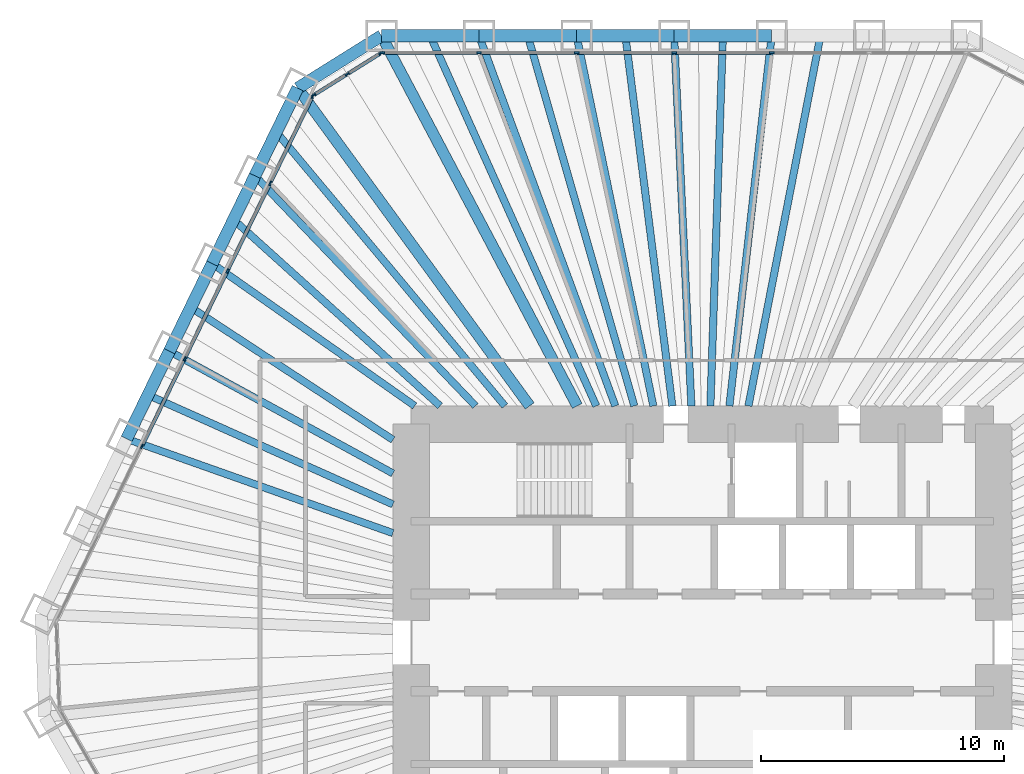
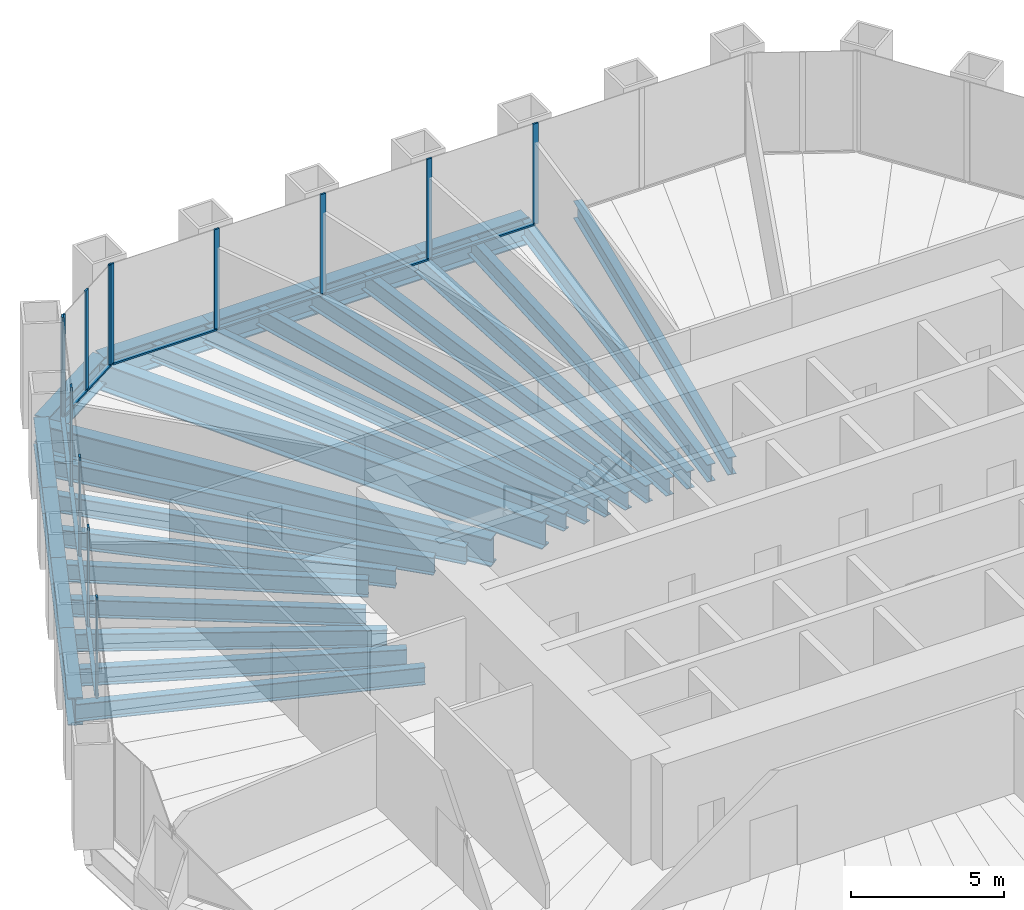
# One storey, part 6 of 13: 28 beams, 23 members, 3 elements without a shape of their own.
"""IFC4 building model written with IfcOpenShell, lengths in metres."""

from ifc_helpers import new_model, si_unit, direction, frame, origin, origin_2d, place, context, subcontext, project, spatial, rectangle, i_section, extrude, material, material_profile, profile_set, type_object, element, aggregate, save


model = new_model("IFC4")

# Units and contexts
model_context = context("Model", 3, precision=1e-05, world=origin(), true_north=direction((0.0, 1.0)))
body_context = subcontext(model_context, "Body", "Model", "MODEL_VIEW")
ifc_project = project(units=[si_unit("LENGTHUNIT", "METRE"), si_unit("AREAUNIT", "SQUARE_METRE"), si_unit("VOLUMEUNIT", "CUBIC_METRE"), si_unit("PLANEANGLEUNIT", "RADIAN"), si_unit("MASSUNIT", "GRAM", prefix="KILO")], contexts=[model_context])

# Site, building, storey
site_placement = place(None, origin())
site = spatial("IfcSite", under=ifc_project, at=site_placement, CompositionType="ELEMENT")
building_placement = place(site_placement, origin())
building = spatial("IfcBuilding", under=site, at=building_placement, Name="Qingtian Harvest Tower", CompositionType="ELEMENT")
storey_placement = place(building_placement, frame((0.0, 0.0, 145.0)))
storey = spatial("IfcBuildingStorey", under=building, at=storey_placement, Name="L30", CompositionType="ELEMENT", Elevation=145.0)

# Beams
ifc_material_1 = material(Name="Steel SM570MC", Category="steel")
ifc_material_profile_1 = material_profile(ifc_material_1, i_section(OverallWidth=0.449951171875, OverallDepth=1.10009765625, WebThickness=0.02197265625, FlangeThickness=0.044921875, at=origin_2d()), Name="H1100x450x22x45")
ifc_profile_set_1 = profile_set([ifc_material_profile_1], Name="Steel SM570MC")
beam_type_1 = type_object("IfcBeamType", Name="Corner floor beam FB8 H1100x450x22x45", PredefinedType="BEAM", material=ifc_profile_set_1)
beam_1_placement = place(storey_placement, frame((-13.2216796875, 25.0, -0.719970703125), z_axis=(0.46750989692, -0.88398783718, 0.0), x_axis=(0.88398783718, 0.46750989692, 0.0)))
element("IfcBeam", 1, at=beam_1_placement, inside=storey, type_object=beam_type_1, Name="Floor beam FB8 N0", PredefinedType="BEAM", context=body_context, shape_type="SweptSolid", body=[
    extrude(i_section(OverallWidth=0.449951171875, OverallDepth=1.10009765625, WebThickness=0.02197265625, FlangeThickness=0.044921875, at=origin_2d()), origin(), (0.0, 0.0, 1.0), 17.25146484375),
])
beam_2_placement = place(storey_placement, frame((-16.673828125, 22.8427734375, -0.719970703125), z_axis=(0.589577703364, -0.807711663712, 0.0), x_axis=(0.807711663712, 0.589577703364, 0.0)))
element("IfcBeam", 2, at=beam_2_placement, inside=storey, type_object=beam_type_1, Name="Floor beam FB8 NW6", PredefinedType="BEAM", context=body_context, shape_type="SweptSolid", body=[
    extrude(i_section(OverallWidth=0.449951171875, OverallDepth=1.10009765625, WebThickness=0.02197265625, FlangeThickness=0.044921875, at=origin_2d()), origin(), (0.0, 0.0, 1.0), 16.209716796875),
])
ifc_material_2 = material(Name="Steel SN490B", Category="steel")
ifc_material_profile_2 = material_profile(ifc_material_2, i_section(OverallWidth=0.300048828125, OverallDepth=0.699951171875, WebThickness=0.012939453125, FlangeThickness=0.02392578125, at=origin_2d()), Name="H700x300x13x24")
ifc_profile_set_2 = profile_set([ifc_material_profile_2], Name="Steel SN490B")
beam_type_2 = type_object("IfcBeamType", Name="Floor beam FB2 H700x300x13x24", PredefinedType="BEAM", material=ifc_profile_set_2)
beam_3_placement = place(storey_placement, frame((-9.20263671875, 25.0, -0.52001953125), z_axis=(0.345440084985, -0.938440806703, 0.0), x_axis=(0.938440806703, 0.345440084985, 0.0)))
element("IfcBeam", 3, at=beam_3_placement, inside=storey, type_object=beam_type_2, Name="Floor beam FB2 N1", PredefinedType="BEAM", context=body_context, shape_type="SweptSolid", body=[
    extrude(i_section(OverallWidth=0.300048828125, OverallDepth=0.699951171875, WebThickness=0.012939453125, FlangeThickness=0.02392578125, at=origin_2d()), origin(), (0.0, 0.0, 1.0), 16.250244140625),
])
beam_4_placement = place(storey_placement, frame((-5.18359375, 25.0, -0.52001953125), z_axis=(0.203032709566, -0.979171955709, 0.0), x_axis=(0.979171955709, 0.203032709566, 0.0)))
element("IfcBeam", 4, at=beam_4_placement, inside=storey, type_object=beam_type_2, Name="Floor beam FB2 N2", PredefinedType="BEAM", context=body_context, shape_type="SweptSolid", body=[
    extrude(i_section(OverallWidth=0.300048828125, OverallDepth=0.699951171875, WebThickness=0.012939453125, FlangeThickness=0.02392578125, at=origin_2d()), origin(), (0.0, 0.0, 1.0), 15.574462890625),
])
beam_5_placement = place(storey_placement, frame((-1.16455078125, 25.0, -0.52001953125), z_axis=(0.046536361684, -0.998916596639, 0.0), x_axis=(0.998916596639, 0.046536361684, 0.0)))
element("IfcBeam", 5, at=beam_5_placement, inside=storey, type_object=beam_type_2, Name="Floor beam FB2 N3", PredefinedType="BEAM", context=body_context, shape_type="SweptSolid", body=[
    extrude(i_section(OverallWidth=0.300048828125, OverallDepth=0.699951171875, WebThickness=0.012939453125, FlangeThickness=0.02392578125, at=origin_2d()), origin(), (0.0, 0.0, 1.0), 15.2666015625),
])
beam_6_placement = place(storey_placement, frame((2.8544921875, 25.0, -0.52001953125), z_axis=(-0.113440722222, -0.993544766249, 0.0), x_axis=(0.993544766249, -0.113440722222, 0.0)))
element("IfcBeam", 6, at=beam_6_placement, inside=storey, type_object=beam_type_2, Name="Floor beam FB2 N4", PredefinedType="BEAM", context=body_context, shape_type="SweptSolid", body=[
    extrude(i_section(OverallWidth=0.300048828125, OverallDepth=0.699951171875, WebThickness=0.012939453125, FlangeThickness=0.02392578125, at=origin_2d()), origin(), (0.0, 0.0, 1.0), 15.34912109375),
])
beam_7_placement = place(storey_placement, frame((-23.72119140625, 8.3935546875, -0.52001953125), z_axis=(0.942723186419, -0.333576068967, 0.0), x_axis=(0.333576068967, 0.942723186419, 0.0)))
element("IfcBeam", 7, at=beam_7_placement, inside=storey, type_object=beam_type_2, Name="Floor beam FB2 NW2", PredefinedType="BEAM", context=body_context, shape_type="SweptSolid", body=[
    extrude(i_section(OverallWidth=0.300048828125, OverallDepth=0.699951171875, WebThickness=0.012939453125, FlangeThickness=0.02392578125, at=origin_2d()), origin(), (0.0, 0.0, 1.0), 11.6376953125),
])
beam_8_placement = place(storey_placement, frame((-21.95947265625, 12.005859375, -0.52001953125), z_axis=(0.877432026785, -0.479700988505, 0.0), x_axis=(0.479700988505, 0.877432026785, 0.0)))
element("IfcBeam", 8, at=beam_8_placement, inside=storey, type_object=beam_type_2, Name="Floor beam FB2 NW3", PredefinedType="BEAM", context=body_context, shape_type="SweptSolid", body=[
    extrude(i_section(OverallWidth=0.300048828125, OverallDepth=0.699951171875, WebThickness=0.012939453125, FlangeThickness=0.02392578125, at=origin_2d()), origin(), (0.0, 0.0, 1.0), 10.495849609375),
])
beam_9_placement = place(storey_placement, frame((-20.197509765625, 15.6181640625, -0.52001953125), z_axis=(0.818080343043, -0.57510394915, 0.0), x_axis=(0.57510394915, 0.818080343043, 0.0)))
element("IfcBeam", 9, at=beam_9_placement, inside=storey, type_object=beam_type_2, Name="Floor beam FB2 NW4", PredefinedType="BEAM", context=body_context, shape_type="SweptSolid", body=[
    extrude(i_section(OverallWidth=0.300048828125, OverallDepth=0.699951171875, WebThickness=0.012939453125, FlangeThickness=0.02392578125, at=origin_2d()), origin(), (0.0, 0.0, 1.0), 10.20361328125),
])
beam_10_placement = place(storey_placement, frame((-18.435791015625, 19.23046875, -0.52001953125), z_axis=(0.69204101057, -0.721858185303, 0.0), x_axis=(0.721858185303, 0.69204101057, 0.0)))
element("IfcBeam", 10, at=beam_10_placement, inside=storey, type_object=beam_type_2, Name="Floor beam FB2 NW5", PredefinedType="BEAM", context=body_context, shape_type="SweptSolid", body=[
    extrude(i_section(OverallWidth=0.300048828125, OverallDepth=0.699951171875, WebThickness=0.012939453125, FlangeThickness=0.02392578125, at=origin_2d()), origin(), (0.0, 0.0, 1.0), 13.13330078125),
])
ifc_material_3 = material(Name="Steel SN490B", Category="steel")
ifc_material_profile_3 = material_profile(ifc_material_3, i_section(OverallWidth=0.300048828125, OverallDepth=0.699951171875, WebThickness=0.012939453125, FlangeThickness=0.02392578125, at=origin_2d()), Name="H700x300x13x24")
ifc_profile_set_3 = profile_set([ifc_material_profile_3], Name="Steel SN490B")
beam_type_3 = type_object("IfcBeamType", Name="Floor joist J2 H700x300x13x24", PredefinedType="JOIST", material=ifc_profile_set_3)
beam_11_placement = place(storey_placement, frame((-11.212158203125, 25.0, -0.52001953125), z_axis=(0.409212761683, -0.912438992852, 0.0), x_axis=(0.912438992852, 0.409212761683, 0.0)))
element("IfcBeam", 11, at=beam_11_placement, inside=storey, type_object=beam_type_3, Name="Floor joist J2 N0", PredefinedType="JOIST", context=body_context, shape_type="SweptSolid", body=[
    extrude(i_section(OverallWidth=0.300048828125, OverallDepth=0.699951171875, WebThickness=0.012939453125, FlangeThickness=0.02392578125, at=origin_2d()), origin(), (0.0, 0.0, 1.0), 16.71337890625),
])
beam_12_placement = place(storey_placement, frame((-7.193115234375, 25.0, -0.52001953125), z_axis=(0.276500682027, -0.961013721462, 0.0), x_axis=(0.961013721462, 0.276500682027, 0.0)))
element("IfcBeam", 12, at=beam_12_placement, inside=storey, type_object=beam_type_3, Name="Floor joist J2 N1", PredefinedType="JOIST", context=body_context, shape_type="SweptSolid", body=[
    extrude(i_section(OverallWidth=0.300048828125, OverallDepth=0.699951171875, WebThickness=0.012939453125, FlangeThickness=0.02392578125, at=origin_2d()), origin(), (0.0, 0.0, 1.0), 15.86865234375),
])
beam_13_placement = place(storey_placement, frame((-3.174072265625, 25.0, -0.52001953125), z_axis=(0.125957899702, -0.992035587821, 0.0), x_axis=(0.992035587821, 0.125957899702, 0.0)))
element("IfcBeam", 13, at=beam_13_placement, inside=storey, type_object=beam_type_3, Name="Floor joist J2 N2", PredefinedType="JOIST", context=body_context, shape_type="SweptSolid", body=[
    extrude(i_section(OverallWidth=0.300048828125, OverallDepth=0.699951171875, WebThickness=0.012939453125, FlangeThickness=0.02392578125, at=origin_2d()), origin(), (0.0, 0.0, 1.0), 15.372314453125),
])
beam_14_placement = place(storey_placement, frame((0.844970703125, 25.0, -0.52001953125), z_axis=(-0.033776183237, -0.999429421943, 0.0), x_axis=(0.999429421943, -0.033776183237, 0.0)))
element("IfcBeam", 14, at=beam_14_placement, inside=storey, type_object=beam_type_3, Name="Floor joist J2 N3", PredefinedType="JOIST", context=body_context, shape_type="SweptSolid", body=[
    extrude(i_section(OverallWidth=0.300048828125, OverallDepth=0.699951171875, WebThickness=0.012939453125, FlangeThickness=0.02392578125, at=origin_2d()), origin(), (0.0, 0.0, 1.0), 15.2587890625),
])
beam_15_placement = place(storey_placement, frame((4.864013671875, 25.0, -0.52001953125), z_axis=(-0.190979017217, -0.981594119269, 0.0), x_axis=(0.981594119269, -0.190979017217, 0.0)))
element("IfcBeam", 15, at=beam_15_placement, inside=storey, type_object=beam_type_3, Name="Floor joist J2 N4", PredefinedType="JOIST", context=body_context, shape_type="SweptSolid", body=[
    extrude(i_section(OverallWidth=0.300048828125, OverallDepth=0.699951171875, WebThickness=0.012939453125, FlangeThickness=0.02392578125, at=origin_2d()), origin(), (0.0, 0.0, 1.0), 15.535888671875),
])
beam_16_placement = place(storey_placement, frame((-22.84033203125, 10.19970703125, -0.52001953125), z_axis=(0.913095877166, -0.407744919162, 0.0), x_axis=(0.407744919162, 0.913095877166, 0.0)))
element("IfcBeam", 16, at=beam_16_placement, inside=storey, type_object=beam_type_3, Name="Floor joist J2 NW2", PredefinedType="JOIST", context=body_context, shape_type="SweptSolid", body=[
    extrude(i_section(OverallWidth=0.300048828125, OverallDepth=0.699951171875, WebThickness=0.012939453125, FlangeThickness=0.02392578125, at=origin_2d()), origin(), (0.0, 0.0, 1.0), 11.05078125),
])
beam_17_placement = place(storey_placement, frame((-21.078369140625, 13.81201171875, -0.52001953125), z_axis=(0.836426246046, -0.548079496903, 0.0), x_axis=(0.548079496903, 0.836426246046, 0.0)))
element("IfcBeam", 17, at=beam_17_placement, inside=storey, type_object=beam_type_3, Name="Floor joist J2 NW3", PredefinedType="JOIST", context=body_context, shape_type="SweptSolid", body=[
    extrude(i_section(OverallWidth=0.300048828125, OverallDepth=0.699951171875, WebThickness=0.012939453125, FlangeThickness=0.02392578125, at=origin_2d()), origin(), (0.0, 0.0, 1.0), 9.95703125),
])
beam_18_placement = place(storey_placement, frame((-19.316650390625, 17.42431640625, -0.52001953125), z_axis=(0.742543540775, -0.669797797886, 0.0), x_axis=(0.669797797886, 0.742543540775, 0.0)))
element("IfcBeam", 18, at=beam_18_placement, inside=storey, type_object=beam_type_3, Name="Floor joist J2 NW4", PredefinedType="JOIST", context=body_context, shape_type="SweptSolid", body=[
    extrude(i_section(OverallWidth=0.300048828125, OverallDepth=0.699951171875, WebThickness=0.012939453125, FlangeThickness=0.02392578125, at=origin_2d()), origin(), (0.0, 0.0, 1.0), 11.457763671875),
])
beam_19_placement = place(storey_placement, frame((-17.5546875, 21.03662109375, -0.52001953125), z_axis=(0.640703730007, -0.767788206704, 0.0), x_axis=(0.767788206704, 0.640703730007, 0.0)))
element("IfcBeam", 19, at=beam_19_placement, inside=storey, type_object=beam_type_3, Name="Floor joist J2 NW5", PredefinedType="JOIST", context=body_context, shape_type="SweptSolid", body=[
    extrude(i_section(OverallWidth=0.300048828125, OverallDepth=0.699951171875, WebThickness=0.012939453125, FlangeThickness=0.02392578125, at=origin_2d()), origin(), (0.0, 0.0, 1.0), 14.7001953125),
])

# Curtain wall, members
ifc_material_4 = material(Name="Bronze-anodised aluminium curtain wall", Category="aluminium")
curtain_wall_type = type_object("IfcCurtainWallType", Name="Curtain wall CW4 office", PredefinedType="USERDEFINED", material=ifc_material_4)
curtain_wall_1_placement = place(storey_placement, origin())
curtain_wall_1 = element("IfcCurtainWall", 20, at=curtain_wall_1_placement, inside=storey, type_object=curtain_wall_type, Name="Curtain wall CW4 L30 N0-5", ObjectType="RECESSED CURTAIN WALL", PredefinedType="USERDEFINED")
ifc_material_5 = material(Name="Bronze-anodised aluminium mullion", Category="aluminium")
ifc_material_profile_4 = material_profile(ifc_material_5, rectangle(XDim=0.06494140625, YDim=0.199951171875, at=origin_2d()), Name="AL 65x200")
ifc_profile_set_4 = profile_set([ifc_material_profile_4], Name="Bronze-anodised aluminium mullion")
member_type_1 = type_object("IfcMemberType", Name="Mullion CWM 65x200", PredefinedType="MULLION", material=ifc_profile_set_4)
member_1_placement = place(storey_placement, frame((-13.189208984375, 24.300048828125, 0.0), z_axis=(0.0, 0.0, 1.0), x_axis=(0.0, 1.0, 0.0)))
member_1 = element("IfcMember", 21, at=member_1_placement, type_object=member_type_1, Name="CW4 mullion 1", PredefinedType="MULLION", context=body_context, shape_type="SweptSolid", body=[
    extrude(rectangle(XDim=0.06494140625, YDim=0.199951171875, at=origin_2d()), origin(), (0.0, 0.0, 1.0), 4.030029296875),
])
member_2_placement = place(storey_placement, frame((-9.20263671875, 24.300048828125, 0.0), z_axis=(0.0, 0.0, 1.0), x_axis=(0.0, 1.0, 0.0)))
member_2 = element("IfcMember", 22, at=member_2_placement, type_object=member_type_1, Name="CW4 mullion 2", PredefinedType="MULLION", context=body_context, shape_type="SweptSolid", body=[
    extrude(rectangle(XDim=0.06494140625, YDim=0.199951171875, at=origin_2d()), origin(), (0.0, 0.0, 1.0), 4.030029296875),
])
member_3_placement = place(storey_placement, frame((-5.18359375, 24.300048828125, 0.0), z_axis=(0.0, 0.0, 1.0), x_axis=(0.0, 1.0, 0.0)))
member_3 = element("IfcMember", 23, at=member_3_placement, type_object=member_type_1, Name="CW4 mullion 3", PredefinedType="MULLION", context=body_context, shape_type="SweptSolid", body=[
    extrude(rectangle(XDim=0.06494140625, YDim=0.199951171875, at=origin_2d()), origin(), (0.0, 0.0, 1.0), 4.030029296875),
])
member_4_placement = place(storey_placement, frame((-1.16455078125, 24.300048828125, 0.0), z_axis=(0.0, 0.0, 1.0), x_axis=(0.0, 1.0, 0.0)))
member_4 = element("IfcMember", 24, at=member_4_placement, type_object=member_type_1, Name="CW4 mullion 4", PredefinedType="MULLION", context=body_context, shape_type="SweptSolid", body=[
    extrude(rectangle(XDim=0.06494140625, YDim=0.199951171875, at=origin_2d()), origin(), (0.0, 0.0, 1.0), 4.030029296875),
])
member_5_placement = place(storey_placement, frame((2.8544921875, 24.300048828125, 0.0), z_axis=(0.0, 0.0, 1.0), x_axis=(0.0, 1.0, 0.0)))
member_5 = element("IfcMember", 25, at=member_5_placement, type_object=member_type_1, Name="CW4 mullion 5", PredefinedType="MULLION", context=body_context, shape_type="SweptSolid", body=[
    extrude(rectangle(XDim=0.06494140625, YDim=0.199951171875, at=origin_2d()), origin(), (0.0, 0.0, 1.0), 4.030029296875),
])

curtain_wall_2_placement = place(storey_placement, origin())
curtain_wall_2 = element("IfcCurtainWall", 26, at=curtain_wall_2_placement, inside=storey, type_object=curtain_wall_type, Name="Curtain wall CW4 L30 NW0-5", ObjectType="RECESSED CURTAIN WALL", PredefinedType="USERDEFINED")
member_6_placement = place(storey_placement, frame((-23.092041015625, 8.086669921875, 0.0), z_axis=(0.0, 0.0, 1.0), x_axis=(-0.898794046299, 0.438371146789, 0.0)))
member_6 = element("IfcMember", 27, at=member_6_placement, type_object=member_type_1, Name="CW4 mullion 3", PredefinedType="MULLION", context=body_context, shape_type="SweptSolid", body=[
    extrude(rectangle(XDim=0.06494140625, YDim=0.199951171875, at=origin_2d()), origin(), (0.0, 0.0, 1.0), 4.030029296875),
])
member_7_placement = place(storey_placement, frame((-21.330322265625, 11.698974609375, 0.0), z_axis=(0.0, 0.0, 1.0), x_axis=(-0.898794046299, 0.438371146789, 0.0)))
member_7 = element("IfcMember", 28, at=member_7_placement, type_object=member_type_1, Name="CW4 mullion 4", PredefinedType="MULLION", context=body_context, shape_type="SweptSolid", body=[
    extrude(rectangle(XDim=0.06494140625, YDim=0.199951171875, at=origin_2d()), origin(), (0.0, 0.0, 1.0), 4.030029296875),
])
member_8_placement = place(storey_placement, frame((-19.568359375, 15.311279296875, 0.0), z_axis=(0.0, 0.0, 1.0), x_axis=(-0.898794046299, 0.438371146789, 0.0)))
member_8 = element("IfcMember", 29, at=member_8_placement, type_object=member_type_1, Name="CW4 mullion 5", PredefinedType="MULLION", context=body_context, shape_type="SweptSolid", body=[
    extrude(rectangle(XDim=0.06494140625, YDim=0.199951171875, at=origin_2d()), origin(), (0.0, 0.0, 1.0), 4.030029296875),
])
member_9_placement = place(storey_placement, frame((-17.806396484375, 18.923828125, 0.0), z_axis=(0.0, 0.0, 1.0), x_axis=(-0.898794046299, 0.438371146789, 0.0)))
member_9 = element("IfcMember", 30, at=member_9_placement, type_object=member_type_1, Name="CW4 mullion 6", PredefinedType="MULLION", context=body_context, shape_type="SweptSolid", body=[
    extrude(rectangle(XDim=0.06494140625, YDim=0.199951171875, at=origin_2d()), origin(), (0.0, 0.0, 1.0), 4.030029296875),
])
member_10_placement = place(storey_placement, frame((-16.058837890625, 22.5068359375, 0.0), z_axis=(0.0, 0.0, 1.0), x_axis=(-0.898794046299, 0.438371146789, 0.0)))
member_10 = element("IfcMember", 31, at=member_10_placement, type_object=member_type_1, Name="CW4 mullion 7", PredefinedType="MULLION", context=body_context, shape_type="SweptSolid", body=[
    extrude(rectangle(XDim=0.06494140625, YDim=0.199951171875, at=origin_2d()), origin(), (0.0, 0.0, 1.0), 4.030029296875),
])

curtain_wall_3_placement = place(storey_placement, origin())
curtain_wall_3 = element("IfcCurtainWall", 32, at=curtain_wall_3_placement, inside=storey, type_object=curtain_wall_type, Name="Curtain wall CW4 L30 NWC", ObjectType="RECESSED CURTAIN WALL", PredefinedType="USERDEFINED")
member_11_placement = place(storey_placement, frame((-16.01708984375, 22.55322265625, 0.0), z_axis=(0.0, 0.0, 1.0), x_axis=(-0.529919264233, 0.848048096156, 0.0)))
member_11 = element("IfcMember", 33, at=member_11_placement, type_object=member_type_1, Name="CW4 mullion 1", PredefinedType="MULLION", context=body_context, shape_type="SweptSolid", body=[
    extrude(rectangle(XDim=0.06494140625, YDim=0.199951171875, at=origin_2d()), origin(), (0.0, 0.0, 1.0), 4.030029296875),
])
member_12_placement = place(storey_placement, frame((-14.63330078125, 23.41796875, 0.0), z_axis=(0.0, 0.0, 1.0), x_axis=(-0.529919264233, 0.848048096156, 0.0)))
member_12 = element("IfcMember", 34, at=member_12_placement, type_object=member_type_1, Name="CW4 mullion 2", PredefinedType="MULLION", context=body_context, shape_type="SweptSolid", body=[
    extrude(rectangle(XDim=0.06494140625, YDim=0.199951171875, at=origin_2d()), origin(), (0.0, 0.0, 1.0), 4.030029296875),
])
member_13_placement = place(storey_placement, frame((-13.249267578125, 24.28271484375, 0.0), z_axis=(0.0, 0.0, 1.0), x_axis=(-0.529919264233, 0.848048096156, 0.0)))
member_13 = element("IfcMember", 35, at=member_13_placement, type_object=member_type_1, Name="CW4 mullion 3", PredefinedType="MULLION", context=body_context, shape_type="SweptSolid", body=[
    extrude(rectangle(XDim=0.06494140625, YDim=0.199951171875, at=origin_2d()), origin(), (0.0, 0.0, 1.0), 4.030029296875),
])

# Beams
ifc_material_6 = material(Name="Steel SM570MC", Category="steel")
ifc_material_profile_5 = material_profile(ifc_material_6, i_section(OverallWidth=0.5, OverallDepth=1.10009765625, WebThickness=0.02490234375, FlangeThickness=0.050048828125, at=origin_2d()), Name="H1100x500x25x50")
ifc_profile_set_5 = profile_set([ifc_material_profile_5], Name="Steel SM570MC")
beam_type_4 = type_object("IfcBeamType", Name="Spandrel beam SB2 H1100x500x25x50", PredefinedType="SPANDREL", material=ifc_profile_set_5)
for number, where, z_axis, x_axis, name in (
    (36, (-13.2216796875, 25.0, -0.550048828125), (1.0, 0.0, 0.0), (0.0, 1.0, 0.0), "Spandrel SB2 N0"),
    (37, (-9.20263671875, 25.0, -0.550048828125), (1.0, 0.0, 0.0), (0.0, 1.0, 0.0), "Spandrel SB2 N1"),
    (38, (-5.18359375, 25.0, -0.550048828125), (1.0, 0.0, 0.0), (0.0, 1.0, 0.0), "Spandrel SB2 N2"),
    (39, (-1.16455078125, 25.0, -0.550048828125), (1.0, 0.0, 0.0), (0.0, 1.0, 0.0), "Spandrel SB2 N3"),
    (40, (-23.72119140625, 8.3935546875, -0.550048828125), (0.438347033158, 0.898805806902, 0.0), (-0.898805806902, 0.438347033158, 0.0), "Spandrel SB2 NW2"),
    (41, (-21.95947265625, 12.005859375, -0.550048828125), (0.438396105405, 0.89878187274, 0.0), (-0.89878187274, 0.438396105405, 0.0), "Spandrel SB2 NW3"),
    (42, (-20.197509765625, 15.6181640625, -0.550048828125), (0.438347033158, 0.898805806902, 0.0), (-0.898805806902, 0.438347033158, 0.0), "Spandrel SB2 NW4"),
    (43, (-18.435791015625, 19.23046875, -0.550048828125), (0.438396105405, 0.89878187274, 0.0), (-0.89878187274, 0.438396105405, 0.0), "Spandrel SB2 NW5"),
):
    element("IfcBeam", number, at=place(storey_placement, frame(where, z_axis=z_axis, x_axis=x_axis)), inside=storey, type_object=beam_type_4, Name=name, PredefinedType="SPANDREL", context=body_context, shape_type="SweptSolid", body=[
        extrude(i_section(OverallWidth=0.5, OverallDepth=1.10009765625, WebThickness=0.02490234375, FlangeThickness=0.050048828125, at=origin_2d()), origin(), (0.0, 0.0, 1.0), 4.01904296875),
    ])
beam_20_placement = place(storey_placement, frame((-16.673828125, 22.8427734375, -0.550048828125), z_axis=(0.848038733752, 0.529934246919, 0.0), x_axis=(-0.529934246919, 0.848038733752, 0.0)))
element("IfcBeam", 44, at=beam_20_placement, inside=storey, type_object=beam_type_4, Name="Spandrel SB2 NWC", PredefinedType="SPANDREL", context=body_context, shape_type="SweptSolid", body=[
    extrude(i_section(OverallWidth=0.5, OverallDepth=1.10009765625, WebThickness=0.02490234375, FlangeThickness=0.050048828125, at=origin_2d()), origin(), (0.0, 0.0, 1.0), 4.07080078125),
])

# Member
ifc_material_7 = material(Name="Bronze-anodised aluminium transom", Category="aluminium")
ifc_material_profile_6 = material_profile(ifc_material_7, rectangle(XDim=0.14990234375, YDim=0.06494140625, at=origin_2d()), Name="AL 65x150")
ifc_profile_set_6 = profile_set([ifc_material_profile_6], Name="Bronze-anodised aluminium transom")
member_type_2 = type_object("IfcMemberType", Name="Transom CWT 65x150", PredefinedType="USERDEFINED", material=ifc_profile_set_6)
member_14_placement = place(storey_placement, frame((-13.15673828125, 24.300048828125, 0.032470703125), z_axis=(1.0, 0.0, 0.0), x_axis=(0.0, 1.0, 0.0)))
member_14 = element("IfcMember", 45, at=member_14_placement, type_object=member_type_2, Name="CW4 transom 1.1", ObjectType="TRANSOM", PredefinedType="USERDEFINED", context=body_context, shape_type="SweptSolid", body=[
    extrude(rectangle(XDim=0.14990234375, YDim=0.06494140625, at=origin_2d()), origin(), (0.0, 0.0, 1.0), 3.921630859375),
])

member_15_placement = place(storey_placement, frame((-9.170166015625, 24.300048828125, 0.032470703125), z_axis=(1.0, 0.0, 0.0), x_axis=(0.0, 1.0, 0.0)))
member_15 = element("IfcMember", 46, at=member_15_placement, type_object=member_type_2, Name="CW4 transom 2.1", ObjectType="TRANSOM", PredefinedType="USERDEFINED", context=body_context, shape_type="SweptSolid", body=[
    extrude(rectangle(XDim=0.14990234375, YDim=0.06494140625, at=origin_2d()), origin(), (0.0, 0.0, 1.0), 3.9541015625),
])

member_16_placement = place(storey_placement, frame((-5.151123046875, 24.300048828125, 0.032470703125), z_axis=(1.0, 0.0, 0.0), x_axis=(0.0, 1.0, 0.0)))
member_16 = element("IfcMember", 47, at=member_16_placement, type_object=member_type_2, Name="CW4 transom 3.1", ObjectType="TRANSOM", PredefinedType="USERDEFINED", context=body_context, shape_type="SweptSolid", body=[
    extrude(rectangle(XDim=0.14990234375, YDim=0.06494140625, at=origin_2d()), origin(), (0.0, 0.0, 1.0), 3.9541015625),
])

member_17_placement = place(storey_placement, frame((-1.132080078125, 24.300048828125, 0.032470703125), z_axis=(1.0, 0.0, 0.0), x_axis=(0.0, 1.0, 0.0)))
member_17 = element("IfcMember", 48, at=member_17_placement, type_object=member_type_2, Name="CW4 transom 4.1", ObjectType="TRANSOM", PredefinedType="USERDEFINED", context=body_context, shape_type="SweptSolid", body=[
    extrude(rectangle(XDim=0.14990234375, YDim=0.06494140625, at=origin_2d()), origin(), (0.0, 0.0, 1.0), 3.9541015625),
])

aggregate(curtain_wall_1, [member_1, member_2, member_3, member_4, member_5, member_14, member_15, member_16, member_17])

member_18_placement = place(storey_placement, frame((-23.077880859375, 8.115966796875, 0.032470703125), z_axis=(0.438374972828, 0.898792180205, 0.0), x_axis=(-0.898792180205, 0.438374972828, 0.0)))
member_18 = element("IfcMember", 49, at=member_18_placement, type_object=member_type_2, Name="CW4 transom 3.1", ObjectType="TRANSOM", PredefinedType="USERDEFINED", context=body_context, shape_type="SweptSolid", body=[
    extrude(rectangle(XDim=0.14990234375, YDim=0.06494140625, at=origin_2d()), origin(), (0.0, 0.0, 1.0), 3.9541015625),
])

member_19_placement = place(storey_placement, frame((-21.31591796875, 11.728271484375, 0.032470703125), z_axis=(0.438374972828, 0.898792180205, 0.0), x_axis=(-0.898792180205, 0.438374972828, 0.0)))
member_19 = element("IfcMember", 50, at=member_19_placement, type_object=member_type_2, Name="CW4 transom 4.1", ObjectType="TRANSOM", PredefinedType="USERDEFINED", context=body_context, shape_type="SweptSolid", body=[
    extrude(rectangle(XDim=0.14990234375, YDim=0.06494140625, at=origin_2d()), origin(), (0.0, 0.0, 1.0), 3.9541015625),
])

member_20_placement = place(storey_placement, frame((-19.55419921875, 15.340576171875, 0.032470703125), z_axis=(0.438374972828, 0.898792180205, 0.0), x_axis=(-0.898792180205, 0.438374972828, 0.0)))
member_20 = element("IfcMember", 51, at=member_20_placement, type_object=member_type_2, Name="CW4 transom 5.1", ObjectType="TRANSOM", PredefinedType="USERDEFINED", context=body_context, shape_type="SweptSolid", body=[
    extrude(rectangle(XDim=0.14990234375, YDim=0.06494140625, at=origin_2d()), origin(), (0.0, 0.0, 1.0), 3.9541015625),
])

member_21_placement = place(storey_placement, frame((-17.792236328125, 18.952880859375, 0.032470703125), z_axis=(0.438351261745, 0.898803744611, 0.0), x_axis=(-0.898803744611, 0.438351261745, 0.0)))
member_21 = element("IfcMember", 52, at=member_21_placement, type_object=member_type_2, Name="CW4 transom 6.1", ObjectType="TRANSOM", PredefinedType="USERDEFINED", context=body_context, shape_type="SweptSolid", body=[
    extrude(rectangle(XDim=0.14990234375, YDim=0.06494140625, at=origin_2d()), origin(), (0.0, 0.0, 1.0), 3.92138671875),
])

aggregate(curtain_wall_2, [member_6, member_7, member_8, member_9, member_10, member_18, member_19, member_20, member_21])

member_22_placement = place(storey_placement, frame((-15.989501953125, 22.570556640625, 0.032470703125), z_axis=(0.848059570903, 0.529900900357, 0.0), x_axis=(-0.529900900357, 0.848059570903, 0.0)))
member_22 = element("IfcMember", 53, at=member_22_placement, type_object=member_type_2, Name="CW4 transom 1.1", ObjectType="TRANSOM", PredefinedType="USERDEFINED", context=body_context, shape_type="SweptSolid", body=[
    extrude(rectangle(XDim=0.14990234375, YDim=0.06494140625, at=origin_2d()), origin(), (0.0, 0.0, 1.0), 1.56689453125),
])

member_23_placement = place(storey_placement, frame((-14.605712890625, 23.435302734375, 0.032470703125), z_axis=(0.848059570903, 0.529900900357, 0.0), x_axis=(-0.529900900357, 0.848059570903, 0.0)))
member_23 = element("IfcMember", 54, at=member_23_placement, type_object=member_type_2, Name="CW4 transom 2.1", ObjectType="TRANSOM", PredefinedType="USERDEFINED", context=body_context, shape_type="SweptSolid", body=[
    extrude(rectangle(XDim=0.14990234375, YDim=0.06494140625, at=origin_2d()), origin(), (0.0, 0.0, 1.0), 1.56689453125),
])

aggregate(curtain_wall_3, [member_11, member_12, member_13, member_22, member_23])

save(model, "model.ifc")
